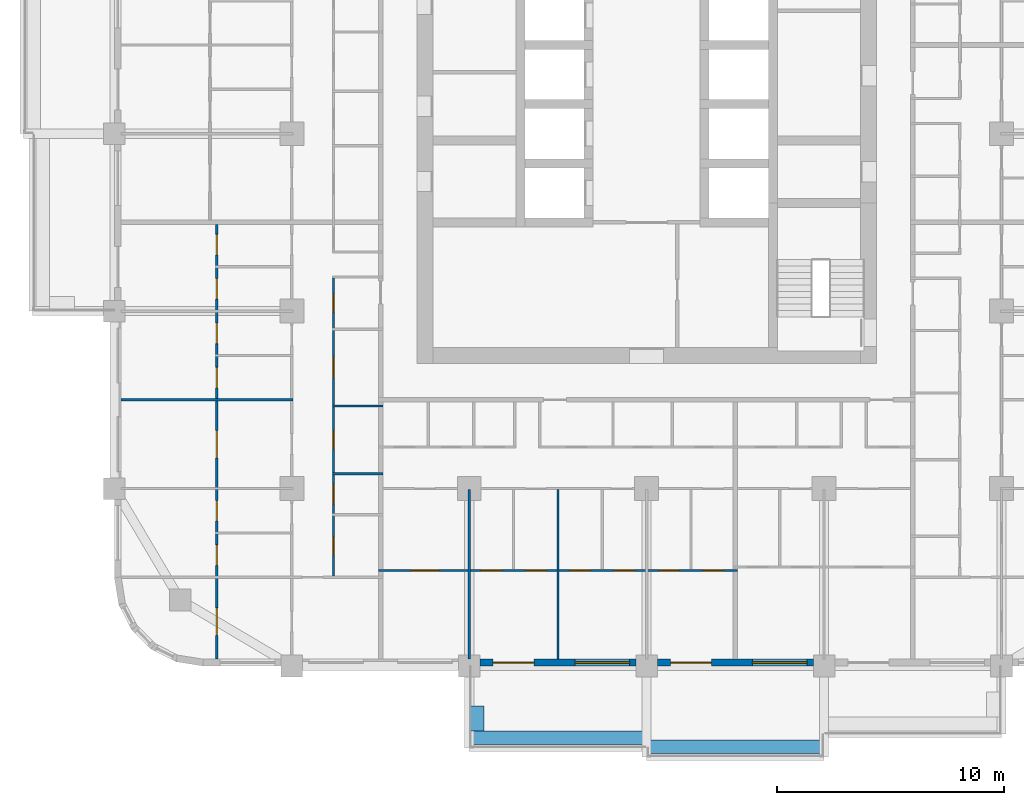
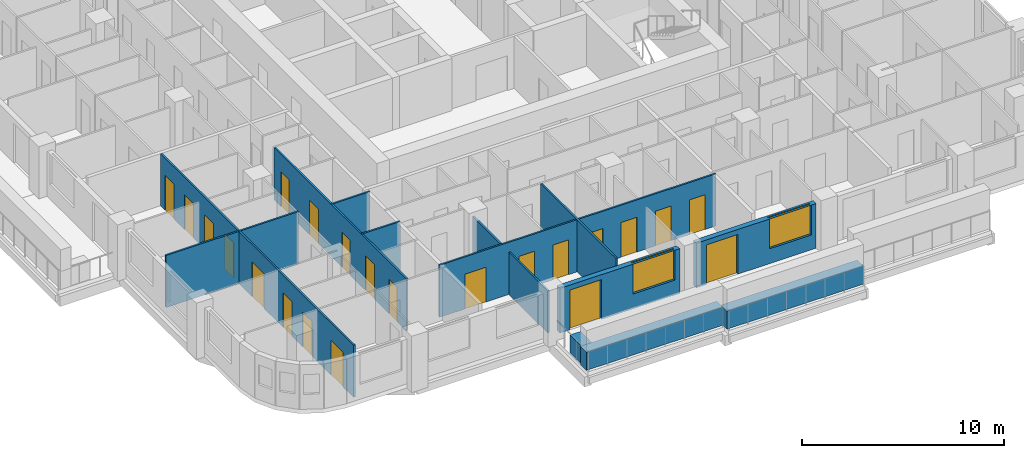
# One storey, part 3 of 17: 22 doors, 13 walls, 2 windows, 24 openings.
"""IFC4 building model written with IfcOpenShell, lengths in metres."""

from ifc_helpers import new_model, si_unit, direction, frame, frame_2d, origin, place, context, subcontext, project, spatial, rectangle, extrude, material, layer, layer_set, type_object, element, fill, save


model = new_model("IFC4")

# Units and contexts
model_context = context("Model", 3, precision=1e-05, world=origin(), true_north=direction((0.0, 1.0)))
body_context = subcontext(model_context, "Body", "Model", "MODEL_VIEW")
ifc_project = project(units=[si_unit("LENGTHUNIT", "METRE"), si_unit("AREAUNIT", "SQUARE_METRE"), si_unit("VOLUMEUNIT", "CUBIC_METRE"), si_unit("PLANEANGLEUNIT", "RADIAN"), si_unit("MASSUNIT", "GRAM", prefix="KILO")], contexts=[model_context])

# Site, building, storey
site_placement = place(None, origin())
site = spatial("IfcSite", under=ifc_project, at=site_placement, CompositionType="ELEMENT")
building_placement = place(site_placement, origin())
building = spatial("IfcBuilding", under=site, at=building_placement, Name="Ludao Terraces", CompositionType="ELEMENT")
storey_placement = place(building_placement, frame((0.0, 0.0, 85.199951171875)))
storey = spatial("IfcBuildingStorey", under=building, at=storey_placement, Name="L23", CompositionType="ELEMENT", Elevation=85.199951171875)

# Walls
ifc_material_1 = material(Name="Concrete C40", Category="concrete")
ifc_layer_1 = layer(ifc_material_1, 0.60009765625)
ifc_layer_set_1 = layer_set([ifc_layer_1], Name="ENV Planter trough 600")
wall_type_1 = type_object("IfcWallType", Name="ENV Planter trough 600", PredefinedType="USERDEFINED", material=ifc_layer_set_1)
wall_1_placement = place(storey_placement, frame((77.199951171875, 38.449951171875, 0.0), z_axis=(0.0, 0.0, 1.0), x_axis=(1.0, 0.0, 0.0)))
element("IfcWall", 1, at=wall_1_placement, inside=storey, type_object=wall_type_1, Name="PL-L23-S2", ObjectType="PLANTER", PredefinedType="USERDEFINED", context=body_context, shape_type="SweptSolid", body=[
    extrude(rectangle(XDim=7.800048828125, YDim=0.60009765625, at=frame_2d((3.89990234375, 0.0))), origin(), (0.0, 0.0, 1.0), 1.10009765625),
])
wall_2_placement = place(storey_placement, frame((77.550048828125, 38.75, 0.0), z_axis=(0.0, 0.0, 1.0), x_axis=(0.0, 1.0, 0.0)))
element("IfcWall", 2, at=wall_2_placement, inside=storey, type_object=wall_type_1, Name="PL-L23-S2-SA", ObjectType="PLANTER", PredefinedType="USERDEFINED", context=body_context, shape_type="SweptSolid", body=[
    extrude(rectangle(XDim=1.10009765625, YDim=0.60009765625, at=frame_2d((0.550048828125, 0.0))), origin(), (0.0, 0.0, 1.0), 1.10009765625),
])
wall_3_placement = place(storey_placement, frame((85.0, 38.050048828125, 0.0), z_axis=(0.0, 0.0, 1.0), x_axis=(1.0, 0.0, 0.0)))
element("IfcWall", 3, at=wall_3_placement, inside=storey, type_object=wall_type_1, Name="PL-L23-S3", ObjectType="PLANTER", PredefinedType="USERDEFINED", context=body_context, shape_type="SweptSolid", body=[
    extrude(rectangle(XDim=7.800048828125, YDim=0.60009765625, at=frame_2d((3.89990234375, 0.0))), origin(), (0.0, 0.0, 1.0), 1.10009765625),
])

# Wall, openings, door, window
ifc_material_2 = material(Name="Granite cladding", Category="masonry")
ifc_layer_2 = layer(ifc_material_2, 0.0400390625, Category="stone")
ifc_material_3 = material(Name="Mineral wool")
ifc_layer_3 = layer(ifc_material_3, 0.06005859375)
ifc_layer_4 = layer(ifc_material_1, 0.199951171875, Category="concrete")
ifc_layer_set_2 = layer_set([ifc_layer_2, ifc_layer_3, ifc_layer_4], Name="ENV Stone-clad wall 300")
wall_type_2 = type_object("IfcWallType", Name="ENV Stone-clad wall 300", PredefinedType="SOLIDWALL", material=ifc_layer_set_2)
wall_4_placement = place(storey_placement, frame((77.675048828125, 41.75, 0.0), z_axis=(0.0, 0.0, 1.0), x_axis=(1.0, 0.0, 0.0)))
wall_4 = element("IfcWall", 4, at=wall_4_placement, inside=storey, type_object=wall_type_2, Name="EW-L23-S3", PredefinedType="SOLIDWALL", context=body_context, shape_type="SweptSolid", body=[
    extrude(rectangle(XDim=6.849853515625, YDim=0.300048828125, at=frame_2d((3.4248046875, 0.0))), origin(), (0.0, 0.0, 1.0), 2.699951171875),
])
opening_1_placement = place(wall_4_placement, frame((0.574951171875, 0.0, 0.0)))
opening_1 = element("IfcOpeningElement", 5, at=opening_1_placement, cuts=wall_4, Name="Opening BD", PredefinedType="OPENING", context=body_context, shape_type="SweptSolid", body=[
    extrude(rectangle(XDim=1.800048828125, YDim=2.39990234375, at=frame_2d((0.89990234375, 1.199951171875))), frame((0.0, 0.16015625, 0.0), z_axis=(0.0, -1.0, 0.0), x_axis=(1.0, 0.0, 0.0)), (0.0, 0.0, 1.0), 0.320068359375),
])
opening_2_placement = place(wall_4_placement, frame((4.175048828125, 0.0, 0.89990234375)))
opening_2 = element("IfcOpeningElement", 6, at=opening_2_placement, cuts=wall_4, Name="Opening W1", PredefinedType="OPENING", context=body_context, shape_type="SweptSolid", body=[
    extrude(rectangle(XDim=2.39990234375, YDim=1.800048828125, at=frame_2d((1.199951171875, 0.89990234375))), frame((0.0, 0.16015625, 0.0), z_axis=(0.0, -1.0, 0.0), x_axis=(1.0, 0.0, 0.0)), (0.0, 0.0, 1.0), 0.320068359375),
])
ifc_material_4 = material(Name="Aluminium glazed door", Category="aluminium")
ifc_layer_5 = layer(ifc_material_4, 0.06005859375)
ifc_layer_set_3 = layer_set([ifc_layer_5], Name="ENV Balcony door BD 1800x2400")
door_type_1 = type_object("IfcDoorType", Name="ENV Balcony door BD 1800x2400", OperationType="DOUBLE_DOOR_SINGLE_SWING", PredefinedType="DOOR", material=ifc_layer_set_3)
door_1_placement = place(opening_1_placement, origin())
door_1 = element("IfcDoor", 7, at=door_1_placement, inside=storey, type_object=door_type_1, Name="BD-L23-S3-1", OperationType="DOUBLE_DOOR_SINGLE_SWING", OverallHeight=2.39990234375, OverallWidth=1.800048828125, PredefinedType="DOOR", context=body_context, shape_type="SweptSolid", body=[
    extrude(rectangle(XDim=1.800048828125, YDim=2.39990234375, at=frame_2d((0.89990234375, 1.199951171875))), frame((0.0, 0.02490234375, 0.0), z_axis=(0.0, -1.0, 0.0), x_axis=(1.0, 0.0, 0.0)), (0.0, 0.0, 1.0), 0.050048828125),
])
fill(opening_1, door_1)
ifc_material_5 = material(Name="Clear glass in aluminium frame", Category="aluminium")
ifc_layer_6 = layer(ifc_material_5, 0.06005859375)
ifc_layer_set_4 = layer_set([ifc_layer_6], Name="ENV Window W1 2400x1800")
window_type = type_object("IfcWindowType", Name="ENV Window W1 2400x1800", PartitioningType="DOUBLE_PANEL_VERTICAL", PredefinedType="WINDOW", material=ifc_layer_set_4)
window_1_placement = place(opening_2_placement, origin())
window_1 = element("IfcWindow", 8, at=window_1_placement, inside=storey, type_object=window_type, Name="W-L23-S3-2", OverallHeight=1.800048828125, OverallWidth=2.39990234375, PartitioningType="DOUBLE_PANEL_VERTICAL", PredefinedType="WINDOW", context=body_context, shape_type="SweptSolid", body=[
    extrude(rectangle(XDim=2.39990234375, YDim=1.800048828125, at=frame_2d((1.199951171875, 0.89990234375))), frame((0.0, 0.030029296875, 0.0), z_axis=(0.0, -1.0, 0.0), x_axis=(1.0, 0.0, 0.0)), (0.0, 0.0, 1.0), 0.06005859375),
])
fill(opening_2, window_1)

wall_5_placement = place(storey_placement, frame((85.47509765625, 41.75, 0.0), z_axis=(0.0, 0.0, 1.0), x_axis=(1.0, 0.0, 0.0)))
wall_5 = element("IfcWall", 9, at=wall_5_placement, inside=storey, type_object=wall_type_2, Name="EW-L23-S4", PredefinedType="SOLIDWALL", context=body_context, shape_type="SweptSolid", body=[
    extrude(rectangle(XDim=6.849853515625, YDim=0.300048828125, at=frame_2d((3.4248046875, 0.0))), origin(), (0.0, 0.0, 1.0), 2.699951171875),
])
opening_3_placement = place(wall_5_placement, frame((0.574951171875, 0.0, 0.0)))
opening_3 = element("IfcOpeningElement", 10, at=opening_3_placement, cuts=wall_5, Name="Opening BD", PredefinedType="OPENING", context=body_context, shape_type="SweptSolid", body=[
    extrude(rectangle(XDim=1.800048828125, YDim=2.39990234375, at=frame_2d((0.89990234375, 1.199951171875))), frame((0.0, 0.16015625, 0.0), z_axis=(0.0, -1.0, 0.0), x_axis=(1.0, 0.0, 0.0)), (0.0, 0.0, 1.0), 0.320068359375),
])
opening_4_placement = place(wall_5_placement, frame((4.175048828125, 0.0, 0.89990234375)))
opening_4 = element("IfcOpeningElement", 11, at=opening_4_placement, cuts=wall_5, Name="Opening W1", PredefinedType="OPENING", context=body_context, shape_type="SweptSolid", body=[
    extrude(rectangle(XDim=2.39990234375, YDim=1.800048828125, at=frame_2d((1.199951171875, 0.89990234375))), frame((0.0, 0.16015625, 0.0), z_axis=(0.0, -1.0, 0.0), x_axis=(1.0, 0.0, 0.0)), (0.0, 0.0, 1.0), 0.320068359375),
])
door_2_placement = place(opening_3_placement, origin())
door_2 = element("IfcDoor", 12, at=door_2_placement, inside=storey, type_object=door_type_1, Name="BD-L23-S4-1", OperationType="DOUBLE_DOOR_SINGLE_SWING", OverallHeight=2.39990234375, OverallWidth=1.800048828125, PredefinedType="DOOR", context=body_context, shape_type="SweptSolid", body=[
    extrude(rectangle(XDim=1.800048828125, YDim=2.39990234375, at=frame_2d((0.89990234375, 1.199951171875))), frame((0.0, 0.02490234375, 0.0), z_axis=(0.0, -1.0, 0.0), x_axis=(1.0, 0.0, 0.0)), (0.0, 0.0, 1.0), 0.050048828125),
])
fill(opening_3, door_2)
window_2_placement = place(opening_4_placement, origin())
window_2 = element("IfcWindow", 13, at=window_2_placement, inside=storey, type_object=window_type, Name="W-L23-S4-2", OverallHeight=1.800048828125, OverallWidth=2.39990234375, PartitioningType="DOUBLE_PANEL_VERTICAL", PredefinedType="WINDOW", context=body_context, shape_type="SweptSolid", body=[
    extrude(rectangle(XDim=2.39990234375, YDim=1.800048828125, at=frame_2d((1.199951171875, 0.89990234375))), frame((0.0, 0.030029296875, 0.0), z_axis=(0.0, -1.0, 0.0), x_axis=(1.0, 0.0, 0.0)), (0.0, 0.0, 1.0), 0.06005859375),
])
fill(opening_4, window_2)

# Wall, openings, doors
ifc_material_6 = material(Name="Gypsum plasterboard", Category="gypsum")
ifc_layer_7 = layer(ifc_material_6, 0.012451171875, Category="gypsum")
ifc_layer_8 = layer(ifc_material_3, 0.06005859375, Name="insulation")
ifc_material_7 = material(Name="Steel Q235", Category="steel")
ifc_layer_9 = layer(ifc_material_7, 0.014892578125, Name="stud")
ifc_layer_10 = layer(ifc_material_6, 0.012451171875, Category="gypsum")
ifc_layer_set_5 = layer_set([ifc_layer_7, ifc_layer_8, ifc_layer_9, ifc_layer_10], Name="INT Partition 100")
wall_type_3 = type_object("IfcWallType", Name="INT Partition 100", PredefinedType="PARTITIONING", material=ifc_layer_set_5)
wall_6_placement = place(storey_placement, frame((73.2001953125, 45.800048828125, 0.0), z_axis=(0.0, 0.0, 1.0), x_axis=(1.0, 0.0, 0.0)))
wall_6 = element("IfcWall", 14, at=wall_6_placement, inside=storey, type_object=wall_type_3, Name="PW-L23-PW002", PredefinedType="PARTITIONING", context=body_context, shape_type="SweptSolid", body=[
    extrude(rectangle(XDim=15.7998046875, YDim=0.10009765625, at=frame_2d((7.89990234375, 0.0))), origin(), (0.0, 0.0, 1.0), 3.150146484375),
])
opening_5_placement = place(wall_6_placement, frame((1.449951171875, 0.0, 0.0)))
opening_5 = element("IfcOpeningElement", 15, at=opening_5_placement, cuts=wall_6, Name="Opening R07-007", PredefinedType="OPENING", context=body_context, shape_type="SweptSolid", body=[
    extrude(rectangle(XDim=1.199951171875, YDim=2.10009765625, at=frame_2d((0.60009765625, 1.050048828125))), frame((0.0, 0.06005859375, 0.0), z_axis=(0.0, -1.0, 0.0), x_axis=(1.0, 0.0, 0.0)), (0.0, 0.0, 1.0), 0.1201171875),
])
opening_6_placement = place(wall_6_placement, frame((4.52490234375, 0.0, 0.0)))
opening_6 = element("IfcOpeningElement", 16, at=opening_6_placement, cuts=wall_6, Name="Opening R07-008", PredefinedType="OPENING", context=body_context, shape_type="SweptSolid", body=[
    extrude(rectangle(XDim=0.89990234375, YDim=2.10009765625, at=frame_2d((0.449951171875, 1.050048828125))), frame((0.0, 0.06005859375, 0.0), z_axis=(0.0, -1.0, 0.0), x_axis=(1.0, 0.0, 0.0)), (0.0, 0.0, 1.0), 0.1201171875),
])
opening_7_placement = place(wall_6_placement, frame((6.474853515625, 0.0, 0.0)))
opening_7 = element("IfcOpeningElement", 17, at=opening_7_placement, cuts=wall_6, Name="Opening R07-009", PredefinedType="OPENING", context=body_context, shape_type="SweptSolid", body=[
    extrude(rectangle(XDim=0.89990234375, YDim=2.10009765625, at=frame_2d((0.449951171875, 1.050048828125))), frame((0.0, 0.06005859375, 0.0), z_axis=(0.0, -1.0, 0.0), x_axis=(1.0, 0.0, 0.0)), (0.0, 0.0, 1.0), 0.1201171875),
])
opening_8_placement = place(wall_6_placement, frame((8.4248046875, 0.0, 0.0)))
opening_8 = element("IfcOpeningElement", 18, at=opening_8_placement, cuts=wall_6, Name="Opening R07-010", PredefinedType="OPENING", context=body_context, shape_type="SweptSolid", body=[
    extrude(rectangle(XDim=0.89990234375, YDim=2.10009765625, at=frame_2d((0.449951171875, 1.050048828125))), frame((0.0, 0.06005859375, 0.0), z_axis=(0.0, -1.0, 0.0), x_axis=(1.0, 0.0, 0.0)), (0.0, 0.0, 1.0), 0.1201171875),
])
opening_9_placement = place(wall_6_placement, frame((10.375, 0.0, 0.0)))
opening_9 = element("IfcOpeningElement", 19, at=opening_9_placement, cuts=wall_6, Name="Opening R07-011", PredefinedType="OPENING", context=body_context, shape_type="SweptSolid", body=[
    extrude(rectangle(XDim=0.89990234375, YDim=2.10009765625, at=frame_2d((0.449951171875, 1.050048828125))), frame((0.0, 0.06005859375, 0.0), z_axis=(0.0, -1.0, 0.0), x_axis=(1.0, 0.0, 0.0)), (0.0, 0.0, 1.0), 0.1201171875),
])
opening_10_placement = place(wall_6_placement, frame((12.324951171875, 0.0, 0.0)))
opening_10 = element("IfcOpeningElement", 20, at=opening_10_placement, cuts=wall_6, Name="Opening R07-012", PredefinedType="OPENING", context=body_context, shape_type="SweptSolid", body=[
    extrude(rectangle(XDim=0.89990234375, YDim=2.10009765625, at=frame_2d((0.449951171875, 1.050048828125))), frame((0.0, 0.06005859375, 0.0), z_axis=(0.0, -1.0, 0.0), x_axis=(1.0, 0.0, 0.0)), (0.0, 0.0, 1.0), 0.1201171875),
])
opening_11_placement = place(wall_6_placement, frame((14.27490234375, 0.0, 0.0)))
opening_11 = element("IfcOpeningElement", 21, at=opening_11_placement, cuts=wall_6, Name="Opening R07-013", PredefinedType="OPENING", context=body_context, shape_type="SweptSolid", body=[
    extrude(rectangle(XDim=0.89990234375, YDim=2.10009765625, at=frame_2d((0.449951171875, 1.050048828125))), frame((0.0, 0.06005859375, 0.0), z_axis=(0.0, -1.0, 0.0), x_axis=(1.0, 0.0, 0.0)), (0.0, 0.0, 1.0), 0.1201171875),
])
ifc_material_8 = material(Name="Timber door leaf", Category="wood")
door_type_2 = type_object("IfcDoorType", Name="INT Bathroom door 900", OperationType="SINGLE_SWING_LEFT", PredefinedType="DOOR", material=ifc_material_8)
door_3_placement = place(opening_6_placement, origin())
door_3 = element("IfcDoor", 22, at=door_3_placement, inside=storey, type_object=door_type_2, Name="DOOR 008", OperationType="SINGLE_SWING_LEFT", OverallHeight=2.10009765625, OverallWidth=0.89990234375, PredefinedType="DOOR", context=body_context, shape_type="SweptSolid", body=[
    extrude(rectangle(XDim=0.89990234375, YDim=2.10009765625, at=frame_2d((0.449951171875, 1.050048828125))), frame((0.0, 0.02490234375, 0.0), z_axis=(0.0, -1.0, 0.0), x_axis=(1.0, 0.0, 0.0)), (0.0, 0.0, 1.0), 0.050048828125),
])
fill(opening_6, door_3)
door_4_placement = place(opening_8_placement, origin())
door_4 = element("IfcDoor", 23, at=door_4_placement, inside=storey, type_object=door_type_2, Name="DOOR 010", OperationType="SINGLE_SWING_LEFT", OverallHeight=2.10009765625, OverallWidth=0.89990234375, PredefinedType="DOOR", context=body_context, shape_type="SweptSolid", body=[
    extrude(rectangle(XDim=0.89990234375, YDim=2.10009765625, at=frame_2d((0.449951171875, 1.050048828125))), frame((0.0, 0.02490234375, 0.0), z_axis=(0.0, -1.0, 0.0), x_axis=(1.0, 0.0, 0.0)), (0.0, 0.0, 1.0), 0.050048828125),
])
fill(opening_8, door_4)
door_5_placement = place(opening_10_placement, origin())
door_5 = element("IfcDoor", 24, at=door_5_placement, inside=storey, type_object=door_type_2, Name="DOOR 012", OperationType="SINGLE_SWING_LEFT", OverallHeight=2.10009765625, OverallWidth=0.89990234375, PredefinedType="DOOR", context=body_context, shape_type="SweptSolid", body=[
    extrude(rectangle(XDim=0.89990234375, YDim=2.10009765625, at=frame_2d((0.449951171875, 1.050048828125))), frame((0.0, 0.02490234375, 0.0), z_axis=(0.0, -1.0, 0.0), x_axis=(1.0, 0.0, 0.0)), (0.0, 0.0, 1.0), 0.050048828125),
])
fill(opening_10, door_5)
door_type_3 = type_object("IfcDoorType", Name="INT Double door 1200", OperationType="DOUBLE_DOOR_SINGLE_SWING", PredefinedType="DOOR", material=ifc_material_8)
door_6_placement = place(opening_5_placement, origin())
door_6 = element("IfcDoor", 25, at=door_6_placement, inside=storey, type_object=door_type_3, Name="DOOR 007", OperationType="DOUBLE_DOOR_SINGLE_SWING", OverallHeight=2.10009765625, OverallWidth=1.199951171875, PredefinedType="DOOR", context=body_context, shape_type="SweptSolid", body=[
    extrude(rectangle(XDim=1.199951171875, YDim=2.10009765625, at=frame_2d((0.60009765625, 1.050048828125))), frame((0.0, 0.02490234375, 0.0), z_axis=(0.0, -1.0, 0.0), x_axis=(1.0, 0.0, 0.0)), (0.0, 0.0, 1.0), 0.050048828125),
])
fill(opening_5, door_6)
door_type_4 = type_object("IfcDoorType", Name="INT Room door 900", OperationType="SINGLE_SWING_LEFT", PredefinedType="DOOR", material=ifc_material_8)
door_7_placement = place(opening_7_placement, origin())
door_7 = element("IfcDoor", 26, at=door_7_placement, inside=storey, type_object=door_type_4, Name="DOOR 009", OperationType="SINGLE_SWING_LEFT", OverallHeight=2.10009765625, OverallWidth=0.89990234375, PredefinedType="DOOR", context=body_context, shape_type="SweptSolid", body=[
    extrude(rectangle(XDim=0.89990234375, YDim=2.10009765625, at=frame_2d((0.449951171875, 1.050048828125))), frame((0.0, 0.02490234375, 0.0), z_axis=(0.0, -1.0, 0.0), x_axis=(1.0, 0.0, 0.0)), (0.0, 0.0, 1.0), 0.050048828125),
])
fill(opening_7, door_7)
door_8_placement = place(opening_9_placement, origin())
door_8 = element("IfcDoor", 27, at=door_8_placement, inside=storey, type_object=door_type_4, Name="DOOR 011", OperationType="SINGLE_SWING_LEFT", OverallHeight=2.10009765625, OverallWidth=0.89990234375, PredefinedType="DOOR", context=body_context, shape_type="SweptSolid", body=[
    extrude(rectangle(XDim=0.89990234375, YDim=2.10009765625, at=frame_2d((0.449951171875, 1.050048828125))), frame((0.0, 0.02490234375, 0.0), z_axis=(0.0, -1.0, 0.0), x_axis=(1.0, 0.0, 0.0)), (0.0, 0.0, 1.0), 0.050048828125),
])
fill(opening_9, door_8)
door_9_placement = place(opening_11_placement, origin())
door_9 = element("IfcDoor", 28, at=door_9_placement, inside=storey, type_object=door_type_4, Name="DOOR 013", OperationType="SINGLE_SWING_RIGHT", OverallHeight=2.10009765625, OverallWidth=0.89990234375, PredefinedType="DOOR", context=body_context, shape_type="SweptSolid", body=[
    extrude(rectangle(XDim=0.89990234375, YDim=2.10009765625, at=frame_2d((0.449951171875, 1.050048828125))), frame((0.0, 0.02490234375, 0.0), z_axis=(0.0, -1.0, 0.0), x_axis=(1.0, 0.0, 0.0)), (0.0, 0.0, 1.0), 0.050048828125),
])
fill(opening_11, door_9)

# Walls
for number, where, z_axis, x_axis, name in (
    (29, (71.18017578125, 50.050048828125, 0.0), (0.0, 0.0, 1.0), (1.0, 0.0, 0.0), "PW-L23-PW010"),
    (30, (71.18017578125, 53.030029296875, 0.0), (0.0, 0.0, 1.0), (1.0, 0.0, 0.0), "PW-L23-PW015"),
):
    element("IfcWall", number, at=place(storey_placement, frame(where, z_axis=z_axis, x_axis=x_axis)), inside=storey, type_object=wall_type_3, Name=name, PredefinedType="PARTITIONING", context=body_context, shape_type="SweptSolid", body=[
        extrude(rectangle(XDim=2.219970703125, YDim=0.10009765625, at=frame_2d((1.10986328125, 0.0))), origin(), (0.0, 0.0, 1.0), 3.150146484375),
    ])
wall_7_placement = place(storey_placement, frame((61.900146484375, 53.300048828125, 0.0), z_axis=(0.0, 0.0, 1.0), x_axis=(1.0, 0.0, 0.0)))
element("IfcWall", 31, at=wall_7_placement, inside=storey, type_object=wall_type_3, Name="PW-L23-PW016", PredefinedType="PARTITIONING", context=body_context, shape_type="SweptSolid", body=[
    extrude(rectangle(XDim=7.550048828125, YDim=0.10009765625, at=frame_2d((3.77490234375, 0.0))), origin(), (0.0, 0.0, 1.0), 3.150146484375),
])

# Wall, openings, doors
wall_8_placement = place(storey_placement, frame((66.10009765625, 41.900146484375, 0.0), z_axis=(0.0, 0.0, 1.0), x_axis=(0.0, 1.0, 0.0)))
wall_8 = element("IfcWall", 32, at=wall_8_placement, inside=storey, type_object=wall_type_3, Name="PW-L23-PW080", PredefinedType="PARTITIONING", context=body_context, shape_type="SweptSolid", body=[
    extrude(rectangle(XDim=19.099853515625, YDim=0.10009765625, at=frame_2d((9.5498046875, 0.0))), origin(), (0.0, 0.0, 1.0), 3.150146484375),
])
opening_12_placement = place(wall_8_placement, frame((1.050048828125, 0.0, 0.0)))
opening_12 = element("IfcOpeningElement", 33, at=opening_12_placement, cuts=wall_8, Name="Opening R07-001", PredefinedType="OPENING", context=body_context, shape_type="SweptSolid", body=[
    extrude(rectangle(XDim=1.199951171875, YDim=2.10009765625, at=frame_2d((0.60009765625, 1.050048828125))), frame((0.0, 0.06005859375, 0.0), z_axis=(0.0, -1.0, 0.0), x_axis=(1.0, 0.0, 0.0)), (0.0, 0.0, 1.0), 0.1201171875),
])
opening_13_placement = place(wall_8_placement, frame((4.125, 0.0, 0.0)))
opening_13 = element("IfcOpeningElement", 34, at=opening_13_placement, cuts=wall_8, Name="Opening R07-018", PredefinedType="OPENING", context=body_context, shape_type="SweptSolid", body=[
    extrude(rectangle(XDim=0.89990234375, YDim=2.10009765625, at=frame_2d((0.449951171875, 1.050048828125))), frame((0.0, 0.06005859375, 0.0), z_axis=(0.0, -1.0, 0.0), x_axis=(1.0, 0.0, 0.0)), (0.0, 0.0, 1.0), 0.1201171875),
])
opening_14_placement = place(wall_8_placement, frame((6.074951171875, 0.0, 0.0)))
opening_14 = element("IfcOpeningElement", 35, at=opening_14_placement, cuts=wall_8, Name="Opening R07-023", PredefinedType="OPENING", context=body_context, shape_type="SweptSolid", body=[
    extrude(rectangle(XDim=0.89990234375, YDim=2.10009765625, at=frame_2d((0.449951171875, 1.050048828125))), frame((0.0, 0.06005859375, 0.0), z_axis=(0.0, -1.0, 0.0), x_axis=(1.0, 0.0, 0.0)), (0.0, 0.0, 1.0), 0.1201171875),
])
opening_15_placement = place(wall_8_placement, frame((8.85009765625, 0.0, 0.0)))
opening_15 = element("IfcOpeningElement", 36, at=opening_15_placement, cuts=wall_8, Name="Opening R07-041", PredefinedType="OPENING", context=body_context, shape_type="SweptSolid", body=[
    extrude(rectangle(XDim=1.199951171875, YDim=2.10009765625, at=frame_2d((0.60009765625, 1.050048828125))), frame((0.0, 0.06005859375, 0.0), z_axis=(0.0, -1.0, 0.0), x_axis=(1.0, 0.0, 0.0)), (0.0, 0.0, 1.0), 0.1201171875),
])
opening_16_placement = place(wall_8_placement, frame((11.925048828125, 0.0, 0.0)))
opening_16 = element("IfcOpeningElement", 37, at=opening_16_placement, cuts=wall_8, Name="Opening R07-049", PredefinedType="OPENING", context=body_context, shape_type="SweptSolid", body=[
    extrude(rectangle(XDim=0.89990234375, YDim=2.10009765625, at=frame_2d((0.449951171875, 1.050048828125))), frame((0.0, 0.06005859375, 0.0), z_axis=(0.0, -1.0, 0.0), x_axis=(1.0, 0.0, 0.0)), (0.0, 0.0, 1.0), 0.1201171875),
])
opening_17_placement = place(wall_8_placement, frame((13.875, 0.0, 0.0)))
opening_17 = element("IfcOpeningElement", 38, at=opening_17_placement, cuts=wall_8, Name="Opening R07-056", PredefinedType="OPENING", context=body_context, shape_type="SweptSolid", body=[
    extrude(rectangle(XDim=0.89990234375, YDim=2.10009765625, at=frame_2d((0.449951171875, 1.050048828125))), frame((0.0, 0.06005859375, 0.0), z_axis=(0.0, -1.0, 0.0), x_axis=(1.0, 0.0, 0.0)), (0.0, 0.0, 1.0), 0.1201171875),
])
opening_18_placement = place(wall_8_placement, frame((15.824951171875, 0.0, 0.0)))
opening_18 = element("IfcOpeningElement", 39, at=opening_18_placement, cuts=wall_8, Name="Opening R07-064", PredefinedType="OPENING", context=body_context, shape_type="SweptSolid", body=[
    extrude(rectangle(XDim=0.89990234375, YDim=2.10009765625, at=frame_2d((0.449951171875, 1.050048828125))), frame((0.0, 0.06005859375, 0.0), z_axis=(0.0, -1.0, 0.0), x_axis=(1.0, 0.0, 0.0)), (0.0, 0.0, 1.0), 0.1201171875),
])
opening_19_placement = place(wall_8_placement, frame((17.77490234375, 0.0, 0.0)))
opening_19 = element("IfcOpeningElement", 40, at=opening_19_placement, cuts=wall_8, Name="Opening R07-066", PredefinedType="OPENING", context=body_context, shape_type="SweptSolid", body=[
    extrude(rectangle(XDim=0.89990234375, YDim=2.10009765625, at=frame_2d((0.449951171875, 1.050048828125))), frame((0.0, 0.06005859375, 0.0), z_axis=(0.0, -1.0, 0.0), x_axis=(1.0, 0.0, 0.0)), (0.0, 0.0, 1.0), 0.1201171875),
])
door_10_placement = place(opening_13_placement, origin())
door_10 = element("IfcDoor", 41, at=door_10_placement, inside=storey, type_object=door_type_2, Name="DOOR 018", OperationType="SINGLE_SWING_RIGHT", OverallHeight=2.10009765625, OverallWidth=0.89990234375, PredefinedType="DOOR", context=body_context, shape_type="SweptSolid", body=[
    extrude(rectangle(XDim=0.89990234375, YDim=2.10009765625, at=frame_2d((0.449951171875, 1.050048828125))), frame((0.0, 0.02490234375, 0.0), z_axis=(0.0, -1.0, 0.0), x_axis=(1.0, 0.0, 0.0)), (0.0, 0.0, 1.0), 0.050048828125),
])
fill(opening_13, door_10)
door_11_placement = place(opening_16_placement, origin())
door_11 = element("IfcDoor", 42, at=door_11_placement, inside=storey, type_object=door_type_2, Name="DOOR 049", OperationType="SINGLE_SWING_RIGHT", OverallHeight=2.10009765625, OverallWidth=0.89990234375, PredefinedType="DOOR", context=body_context, shape_type="SweptSolid", body=[
    extrude(rectangle(XDim=0.89990234375, YDim=2.10009765625, at=frame_2d((0.449951171875, 1.050048828125))), frame((0.0, 0.02490234375, 0.0), z_axis=(0.0, -1.0, 0.0), x_axis=(1.0, 0.0, 0.0)), (0.0, 0.0, 1.0), 0.050048828125),
])
fill(opening_16, door_11)
door_12_placement = place(opening_18_placement, origin())
door_12 = element("IfcDoor", 43, at=door_12_placement, inside=storey, type_object=door_type_2, Name="DOOR 064", OperationType="SINGLE_SWING_RIGHT", OverallHeight=2.10009765625, OverallWidth=0.89990234375, PredefinedType="DOOR", context=body_context, shape_type="SweptSolid", body=[
    extrude(rectangle(XDim=0.89990234375, YDim=2.10009765625, at=frame_2d((0.449951171875, 1.050048828125))), frame((0.0, 0.02490234375, 0.0), z_axis=(0.0, -1.0, 0.0), x_axis=(1.0, 0.0, 0.0)), (0.0, 0.0, 1.0), 0.050048828125),
])
fill(opening_18, door_12)
door_13_placement = place(opening_12_placement, origin())
door_13 = element("IfcDoor", 44, at=door_13_placement, inside=storey, type_object=door_type_3, Name="DOOR 001", OperationType="DOUBLE_DOOR_SINGLE_SWING", OverallHeight=2.10009765625, OverallWidth=1.199951171875, PredefinedType="DOOR", context=body_context, shape_type="SweptSolid", body=[
    extrude(rectangle(XDim=1.199951171875, YDim=2.10009765625, at=frame_2d((0.60009765625, 1.050048828125))), frame((0.0, 0.02490234375, 0.0), z_axis=(0.0, -1.0, 0.0), x_axis=(1.0, 0.0, 0.0)), (0.0, 0.0, 1.0), 0.050048828125),
])
fill(opening_12, door_13)
door_14_placement = place(opening_15_placement, origin())
door_14 = element("IfcDoor", 45, at=door_14_placement, inside=storey, type_object=door_type_3, Name="DOOR 041", OperationType="DOUBLE_DOOR_SINGLE_SWING", OverallHeight=2.10009765625, OverallWidth=1.199951171875, PredefinedType="DOOR", context=body_context, shape_type="SweptSolid", body=[
    extrude(rectangle(XDim=1.199951171875, YDim=2.10009765625, at=frame_2d((0.60009765625, 1.050048828125))), frame((0.0, 0.02490234375, 0.0), z_axis=(0.0, -1.0, 0.0), x_axis=(1.0, 0.0, 0.0)), (0.0, 0.0, 1.0), 0.050048828125),
])
fill(opening_15, door_14)
door_15_placement = place(opening_14_placement, origin())
door_15 = element("IfcDoor", 46, at=door_15_placement, inside=storey, type_object=door_type_4, Name="DOOR 023", OperationType="SINGLE_SWING_LEFT", OverallHeight=2.10009765625, OverallWidth=0.89990234375, PredefinedType="DOOR", context=body_context, shape_type="SweptSolid", body=[
    extrude(rectangle(XDim=0.89990234375, YDim=2.10009765625, at=frame_2d((0.449951171875, 1.050048828125))), frame((0.0, 0.02490234375, 0.0), z_axis=(0.0, -1.0, 0.0), x_axis=(1.0, 0.0, 0.0)), (0.0, 0.0, 1.0), 0.050048828125),
])
fill(opening_14, door_15)
door_16_placement = place(opening_17_placement, origin())
door_16 = element("IfcDoor", 47, at=door_16_placement, inside=storey, type_object=door_type_4, Name="DOOR 056", OperationType="SINGLE_SWING_LEFT", OverallHeight=2.10009765625, OverallWidth=0.89990234375, PredefinedType="DOOR", context=body_context, shape_type="SweptSolid", body=[
    extrude(rectangle(XDim=0.89990234375, YDim=2.10009765625, at=frame_2d((0.449951171875, 1.050048828125))), frame((0.0, 0.02490234375, 0.0), z_axis=(0.0, -1.0, 0.0), x_axis=(1.0, 0.0, 0.0)), (0.0, 0.0, 1.0), 0.050048828125),
])
fill(opening_17, door_16)
door_17_placement = place(opening_19_placement, origin())
door_17 = element("IfcDoor", 48, at=door_17_placement, inside=storey, type_object=door_type_4, Name="DOOR 066", OperationType="SINGLE_SWING_RIGHT", OverallHeight=2.10009765625, OverallWidth=0.89990234375, PredefinedType="DOOR", context=body_context, shape_type="SweptSolid", body=[
    extrude(rectangle(XDim=0.89990234375, YDim=2.10009765625, at=frame_2d((0.449951171875, 1.050048828125))), frame((0.0, 0.02490234375, 0.0), z_axis=(0.0, -1.0, 0.0), x_axis=(1.0, 0.0, 0.0)), (0.0, 0.0, 1.0), 0.050048828125),
])
fill(opening_19, door_17)

wall_9_placement = place(storey_placement, frame((71.22998046875, 45.550048828125, 0.0), z_axis=(0.0, 0.0, 1.0), x_axis=(0.0, 1.0, 0.0)))
wall_9 = element("IfcWall", 49, at=wall_9_placement, inside=storey, type_object=wall_type_3, Name="PW-L23-PW083", PredefinedType="PARTITIONING", context=body_context, shape_type="SweptSolid", body=[
    extrude(rectangle(XDim=13.10009765625, YDim=0.10009765625, at=frame_2d((6.550048828125, 0.0))), origin(), (0.0, 0.0, 1.0), 3.150146484375),
])
opening_20_placement = place(wall_9_placement, frame((0.925048828125, 0.0, 0.0)))
opening_20 = element("IfcOpeningElement", 50, at=opening_20_placement, cuts=wall_9, Name="Opening R07-019", PredefinedType="OPENING", context=body_context, shape_type="SweptSolid", body=[
    extrude(rectangle(XDim=0.800048828125, YDim=2.10009765625, at=frame_2d((0.39990234375, 1.050048828125))), frame((0.0, 0.06005859375, 0.0), z_axis=(0.0, -1.0, 0.0), x_axis=(1.0, 0.0, 0.0)), (0.0, 0.0, 1.0), 0.1201171875),
])
opening_21_placement = place(wall_9_placement, frame((3.14990234375, 0.0, 0.0)))
opening_21 = element("IfcOpeningElement", 51, at=opening_21_placement, cuts=wall_9, Name="Opening R07-025", PredefinedType="OPENING", context=body_context, shape_type="SweptSolid", body=[
    extrude(rectangle(XDim=0.89990234375, YDim=2.10009765625, at=frame_2d((0.449951171875, 1.050048828125))), frame((0.0, 0.06005859375, 0.0), z_axis=(0.0, -1.0, 0.0), x_axis=(1.0, 0.0, 0.0)), (0.0, 0.0, 1.0), 0.1201171875),
])
opening_22_placement = place(wall_9_placement, frame((5.590087890625, 0.0, 0.0)))
opening_22 = element("IfcOpeningElement", 52, at=opening_22_placement, cuts=wall_9, Name="Opening R07-045", PredefinedType="OPENING", context=body_context, shape_type="SweptSolid", body=[
    extrude(rectangle(XDim=0.800048828125, YDim=2.10009765625, at=frame_2d((0.39990234375, 1.050048828125))), frame((0.0, 0.06005859375, 0.0), z_axis=(0.0, -1.0, 0.0), x_axis=(1.0, 0.0, 0.0)), (0.0, 0.0, 1.0), 0.1201171875),
])
opening_23_placement = place(wall_9_placement, frame((8.715087890625, 0.0, 0.0)))
opening_23 = element("IfcOpeningElement", 53, at=opening_23_placement, cuts=wall_9, Name="Opening R07-051", PredefinedType="OPENING", context=body_context, shape_type="SweptSolid", body=[
    extrude(rectangle(XDim=0.89990234375, YDim=2.10009765625, at=frame_2d((0.449951171875, 1.050048828125))), frame((0.0, 0.06005859375, 0.0), z_axis=(0.0, -1.0, 0.0), x_axis=(1.0, 0.0, 0.0)), (0.0, 0.0, 1.0), 0.1201171875),
])
opening_24_placement = place(wall_9_placement, frame((11.60009765625, 0.0, 0.0)))
opening_24 = element("IfcOpeningElement", 54, at=opening_24_placement, cuts=wall_9, Name="Opening R07-060", PredefinedType="OPENING", context=body_context, shape_type="SweptSolid", body=[
    extrude(rectangle(XDim=0.800048828125, YDim=2.10009765625, at=frame_2d((0.39990234375, 1.050048828125))), frame((0.0, 0.06005859375, 0.0), z_axis=(0.0, -1.0, 0.0), x_axis=(1.0, 0.0, 0.0)), (0.0, 0.0, 1.0), 0.1201171875),
])
door_18_placement = place(opening_21_placement, origin())
door_18 = element("IfcDoor", 55, at=door_18_placement, inside=storey, type_object=door_type_2, Name="DOOR 025", OperationType="SINGLE_SWING_RIGHT", OverallHeight=2.10009765625, OverallWidth=0.89990234375, PredefinedType="DOOR", context=body_context, shape_type="SweptSolid", body=[
    extrude(rectangle(XDim=0.89990234375, YDim=2.10009765625, at=frame_2d((0.449951171875, 1.050048828125))), frame((0.0, 0.02490234375, 0.0), z_axis=(0.0, -1.0, 0.0), x_axis=(1.0, 0.0, 0.0)), (0.0, 0.0, 1.0), 0.050048828125),
])
fill(opening_21, door_18)
door_19_placement = place(opening_23_placement, origin())
door_19 = element("IfcDoor", 56, at=door_19_placement, inside=storey, type_object=door_type_4, Name="DOOR 051", OperationType="SINGLE_SWING_LEFT", OverallHeight=2.10009765625, OverallWidth=0.89990234375, PredefinedType="DOOR", context=body_context, shape_type="SweptSolid", body=[
    extrude(rectangle(XDim=0.89990234375, YDim=2.10009765625, at=frame_2d((0.449951171875, 1.050048828125))), frame((0.0, 0.02490234375, 0.0), z_axis=(0.0, -1.0, 0.0), x_axis=(1.0, 0.0, 0.0)), (0.0, 0.0, 1.0), 0.050048828125),
])
fill(opening_23, door_19)
door_type_5 = type_object("IfcDoorType", Name="INT Store door 800", OperationType="SINGLE_SWING_LEFT", PredefinedType="DOOR", material=ifc_material_8)
door_20_placement = place(opening_20_placement, origin())
door_20 = element("IfcDoor", 57, at=door_20_placement, inside=storey, type_object=door_type_5, Name="DOOR 019", OperationType="SINGLE_SWING_RIGHT", OverallHeight=2.10009765625, OverallWidth=0.800048828125, PredefinedType="DOOR", context=body_context, shape_type="SweptSolid", body=[
    extrude(rectangle(XDim=0.800048828125, YDim=2.10009765625, at=frame_2d((0.39990234375, 1.050048828125))), frame((0.0, 0.02490234375, 0.0), z_axis=(0.0, -1.0, 0.0), x_axis=(1.0, 0.0, 0.0)), (0.0, 0.0, 1.0), 0.050048828125),
])
fill(opening_20, door_20)
door_21_placement = place(opening_22_placement, origin())
door_21 = element("IfcDoor", 58, at=door_21_placement, inside=storey, type_object=door_type_5, Name="DOOR 045", OperationType="SINGLE_SWING_LEFT", OverallHeight=2.10009765625, OverallWidth=0.800048828125, PredefinedType="DOOR", context=body_context, shape_type="SweptSolid", body=[
    extrude(rectangle(XDim=0.800048828125, YDim=2.10009765625, at=frame_2d((0.39990234375, 1.050048828125))), frame((0.0, 0.02490234375, 0.0), z_axis=(0.0, -1.0, 0.0), x_axis=(1.0, 0.0, 0.0)), (0.0, 0.0, 1.0), 0.050048828125),
])
fill(opening_22, door_21)
door_22_placement = place(opening_24_placement, origin())
door_22 = element("IfcDoor", 59, at=door_22_placement, inside=storey, type_object=door_type_5, Name="DOOR 060", OperationType="SINGLE_SWING_RIGHT", OverallHeight=2.10009765625, OverallWidth=0.800048828125, PredefinedType="DOOR", context=body_context, shape_type="SweptSolid", body=[
    extrude(rectangle(XDim=0.800048828125, YDim=2.10009765625, at=frame_2d((0.39990234375, 1.050048828125))), frame((0.0, 0.02490234375, 0.0), z_axis=(0.0, -1.0, 0.0), x_axis=(1.0, 0.0, 0.0)), (0.0, 0.0, 1.0), 0.050048828125),
])
fill(opening_24, door_22)

# Walls
wall_10_placement = place(storey_placement, frame((77.199951171875, 41.900146484375, 0.0), z_axis=(0.0, 0.0, 1.0), x_axis=(0.0, 1.0, 0.0)))
element("IfcWall", 60, at=wall_10_placement, inside=storey, type_object=wall_type_3, Name="PW-L23-PW091", PredefinedType="PARTITIONING", context=body_context, shape_type="SweptSolid", body=[
    extrude(rectangle(XDim=7.449951171875, YDim=0.10009765625, at=frame_2d((3.72509765625, 0.0))), origin(), (0.0, 0.0, 1.0), 2.550048828125),
])
wall_11_placement = place(storey_placement, frame((81.10009765625, 41.900146484375, 0.0), z_axis=(0.0, 0.0, 1.0), x_axis=(0.0, 1.0, 0.0)))
element("IfcWall", 61, at=wall_11_placement, inside=storey, type_object=wall_type_3, Name="PW-L23-PW097", PredefinedType="PARTITIONING", context=body_context, shape_type="SweptSolid", body=[
    extrude(rectangle(XDim=7.449951171875, YDim=0.10009765625, at=frame_2d((3.72509765625, 0.0))), origin(), (0.0, 0.0, 1.0), 3.150146484375),
])

save(model, "model.ifc")
